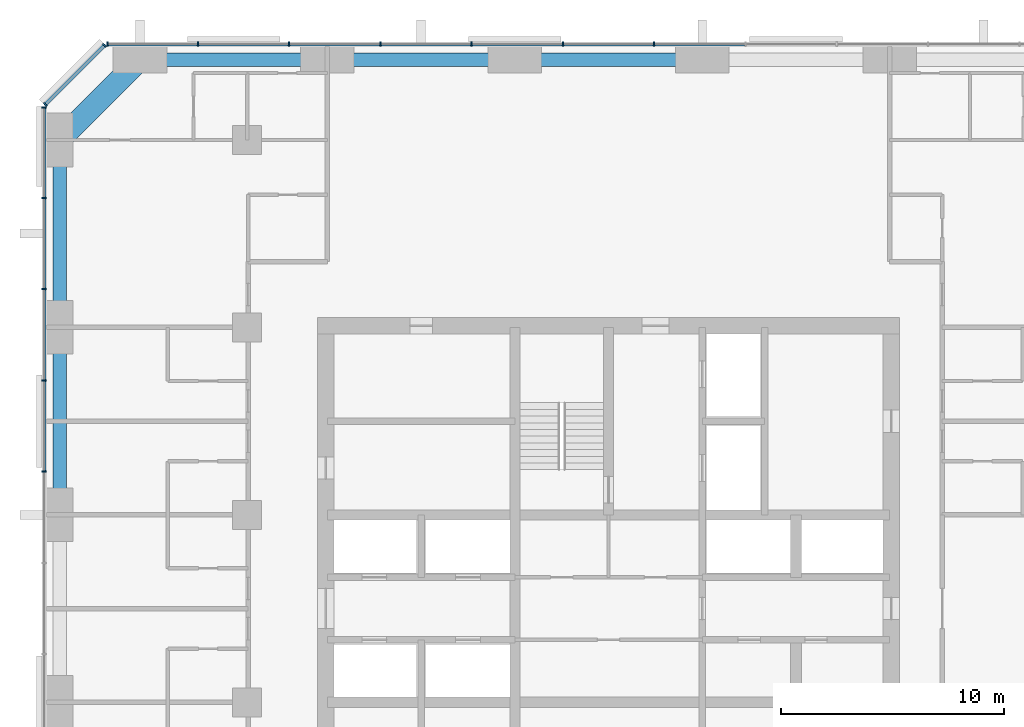
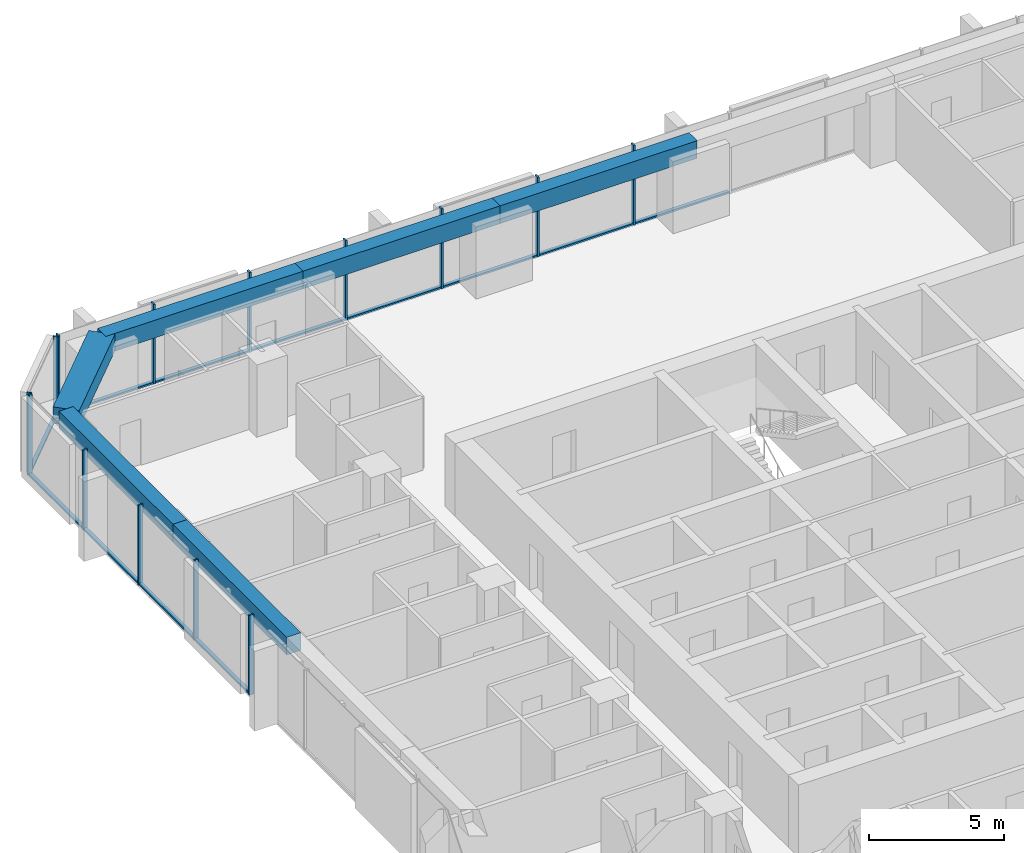
# One storey, part 5 of 13: 26 members, 6 beams, 3 elements without a shape of their own.
"""IFC4 building model written with IfcOpenShell, lengths in metres."""

from ifc_helpers import new_model, si_unit, direction, frame, origin, origin_2d, place, context, subcontext, project, spatial, rectangle, extrude, material, material_profile, profile_set, type_object, element, aggregate, save


model = new_model("IFC4")

# Units and contexts
model_context = context("Model", 3, precision=1e-05, world=origin(), true_north=direction((0.0, 1.0)))
body_context = subcontext(model_context, "Body", "Model", "MODEL_VIEW")
ifc_project = project(units=[si_unit("LENGTHUNIT", "METRE"), si_unit("AREAUNIT", "SQUARE_METRE"), si_unit("VOLUMEUNIT", "CUBIC_METRE"), si_unit("PLANEANGLEUNIT", "RADIAN"), si_unit("MASSUNIT", "GRAM", prefix="KILO")], contexts=[model_context])

# Site, building, storey
site_placement = place(None, origin())
site = spatial("IfcSite", under=ifc_project, at=site_placement, CompositionType="ELEMENT")
building_placement = place(site_placement, origin())
building = spatial("IfcBuilding", under=site, at=building_placement, Name="Dunama Terrace Hotel", CompositionType="ELEMENT")
storey_placement = place(building_placement, frame((0.0, 0.0, 173.39990234375)))
storey = spatial("IfcBuildingStorey", under=building, at=storey_placement, Name="L44", CompositionType="ELEMENT", Elevation=173.39990234375)

# Curtain wall, members
ifc_material_1 = material(Name="Aluminium curtain wall system", Category="aluminium")
curtain_wall_type = type_object("IfcCurtainWallType", Name="Unitised fritted glass wall CW-C", PredefinedType="NOTDEFINED", material=ifc_material_1)
curtain_wall_1_placement = place(storey_placement, origin())
curtain_wall_1 = element("IfcCurtainWall", 1, at=curtain_wall_1_placement, inside=storey, type_object=curtain_wall_type, Name="Unitised fritted glass wall CW-C L44", PredefinedType="NOTDEFINED")
ifc_material_2 = material(Name="Aluminium mullion", Category="aluminium")
ifc_material_profile_1 = material_profile(ifc_material_2, rectangle(XDim=0.070068359375, YDim=0.199951171875, at=origin_2d()), Name="CWC MULLION 70X200")
ifc_profile_set_1 = profile_set([ifc_material_profile_1], Name="Aluminium mullion")
member_type_1 = type_object("IfcMemberType", Name="CWC mullion 70x200", PredefinedType="MULLION", material=ifc_profile_set_1)
member_1_placement = place(storey_placement, frame((31.445068359375, 54.699951171875, 0.0), z_axis=(0.0, 0.0, 1.0), x_axis=(-1.0, 0.0, 0.0)))
member_1 = element("IfcMember", 2, at=member_1_placement, type_object=member_type_1, Name="CWC mullion", PredefinedType="MULLION", context=body_context, shape_type="SweptSolid", body=[
    extrude(rectangle(XDim=0.070068359375, YDim=0.199951171875, at=origin_2d()), origin(), (0.0, 0.0, 1.0), 3.60009765625),
])
member_2_placement = place(storey_placement, frame((27.35498046875, 54.699951171875, 0.0), z_axis=(0.0, 0.0, 1.0), x_axis=(-1.0, 0.0, 0.0)))
member_2 = element("IfcMember", 3, at=member_2_placement, type_object=member_type_1, Name="CWC mullion", PredefinedType="MULLION", context=body_context, shape_type="SweptSolid", body=[
    extrude(rectangle(XDim=0.070068359375, YDim=0.199951171875, at=origin_2d()), origin(), (0.0, 0.0, 1.0), 3.60009765625),
])
member_3_placement = place(storey_placement, frame((23.263916015625, 54.699951171875, 0.0), z_axis=(0.0, 0.0, 1.0), x_axis=(-1.0, 0.0, 0.0)))
member_3 = element("IfcMember", 4, at=member_3_placement, type_object=member_type_1, Name="CWC mullion", PredefinedType="MULLION", context=body_context, shape_type="SweptSolid", body=[
    extrude(rectangle(XDim=0.070068359375, YDim=0.199951171875, at=origin_2d()), origin(), (0.0, 0.0, 1.0), 3.60009765625),
])
member_4_placement = place(storey_placement, frame((19.173095703125, 54.699951171875, 0.0), z_axis=(0.0, 0.0, 1.0), x_axis=(-1.0, 0.0, 0.0)))
member_4 = element("IfcMember", 5, at=member_4_placement, type_object=member_type_1, Name="CWC mullion", PredefinedType="MULLION", context=body_context, shape_type="SweptSolid", body=[
    extrude(rectangle(XDim=0.070068359375, YDim=0.199951171875, at=origin_2d()), origin(), (0.0, 0.0, 1.0), 3.60009765625),
])
member_5_placement = place(storey_placement, frame((15.08203125, 54.699951171875, 0.0), z_axis=(0.0, 0.0, 1.0), x_axis=(-1.0, 0.0, 0.0)))
member_5 = element("IfcMember", 6, at=member_5_placement, type_object=member_type_1, Name="CWC mullion", PredefinedType="MULLION", context=body_context, shape_type="SweptSolid", body=[
    extrude(rectangle(XDim=0.070068359375, YDim=0.199951171875, at=origin_2d()), origin(), (0.0, 0.0, 1.0), 3.60009765625),
])
member_6_placement = place(storey_placement, frame((10.990966796875, 54.699951171875, 0.0), z_axis=(0.0, 0.0, 1.0), x_axis=(-1.0, 0.0, 0.0)))
member_6 = element("IfcMember", 7, at=member_6_placement, type_object=member_type_1, Name="CWC mullion", PredefinedType="MULLION", context=body_context, shape_type="SweptSolid", body=[
    extrude(rectangle(XDim=0.070068359375, YDim=0.199951171875, at=origin_2d()), origin(), (0.0, 0.0, 1.0), 3.60009765625),
])
member_7_placement = place(storey_placement, frame((6.93505859375, 54.699951171875, 0.0), z_axis=(0.0, 0.0, 1.0), x_axis=(-1.0, 0.0, 0.0)))
member_7 = element("IfcMember", 8, at=member_7_placement, type_object=member_type_1, Name="CWC mullion", PredefinedType="MULLION", context=body_context, shape_type="SweptSolid", body=[
    extrude(rectangle(XDim=0.070068359375, YDim=0.199951171875, at=origin_2d()), origin(), (0.0, 0.0, 1.0), 3.60009765625),
])

curtain_wall_2_placement = place(storey_placement, origin())
curtain_wall_2 = element("IfcCurtainWall", 9, at=curtain_wall_2_placement, inside=storey, type_object=curtain_wall_type, Name="Unitised fritted glass wall CW-C L44", PredefinedType="NOTDEFINED")
member_8_placement = place(storey_placement, frame((6.804931640625, 54.64599609375, 0.0), z_axis=(0.0, 0.0, 1.0), x_axis=(-0.707106781187, -0.707106781187, 0.0)))
member_8 = element("IfcMember", 10, at=member_8_placement, type_object=member_type_1, Name="CWC mullion", PredefinedType="MULLION", context=body_context, shape_type="SweptSolid", body=[
    extrude(rectangle(XDim=0.070068359375, YDim=0.199951171875, at=origin_2d()), origin(), (0.0, 0.0, 1.0), 3.60009765625),
])
member_9_placement = place(storey_placement, frame((4.154052734375, 51.9951171875, 0.0), z_axis=(0.0, 0.0, 1.0), x_axis=(-0.707106781187, -0.707106781187, 0.0)))
member_9 = element("IfcMember", 11, at=member_9_placement, type_object=member_type_1, Name="CWC mullion", PredefinedType="MULLION", context=body_context, shape_type="SweptSolid", body=[
    extrude(rectangle(XDim=0.070068359375, YDim=0.199951171875, at=origin_2d()), origin(), (0.0, 0.0, 1.0), 3.60009765625),
])

curtain_wall_3_placement = place(storey_placement, origin())
curtain_wall_3 = element("IfcCurtainWall", 12, at=curtain_wall_3_placement, inside=storey, type_object=curtain_wall_type, Name="Unitised fritted glass wall CW-C L44", PredefinedType="NOTDEFINED")
member_10_placement = place(storey_placement, frame((4.10009765625, 51.864990234375, 0.0), z_axis=(0.0, 0.0, 1.0), x_axis=(0.0, -1.0, 0.0)))
member_10 = element("IfcMember", 13, at=member_10_placement, type_object=member_type_1, Name="CWC mullion", PredefinedType="MULLION", context=body_context, shape_type="SweptSolid", body=[
    extrude(rectangle(XDim=0.070068359375, YDim=0.199951171875, at=origin_2d()), origin(), (0.0, 0.0, 1.0), 3.60009765625),
])
member_11_placement = place(storey_placement, frame((4.10009765625, 47.80908203125, 0.0), z_axis=(0.0, 0.0, 1.0), x_axis=(0.0, -1.0, 0.0)))
member_11 = element("IfcMember", 14, at=member_11_placement, type_object=member_type_1, Name="CWC mullion", PredefinedType="MULLION", context=body_context, shape_type="SweptSolid", body=[
    extrude(rectangle(XDim=0.070068359375, YDim=0.199951171875, at=origin_2d()), origin(), (0.0, 0.0, 1.0), 3.60009765625),
])
member_12_placement = place(storey_placement, frame((4.10009765625, 43.718017578125, 0.0), z_axis=(0.0, 0.0, 1.0), x_axis=(0.0, -1.0, 0.0)))
member_12 = element("IfcMember", 15, at=member_12_placement, type_object=member_type_1, Name="CWC mullion", PredefinedType="MULLION", context=body_context, shape_type="SweptSolid", body=[
    extrude(rectangle(XDim=0.070068359375, YDim=0.199951171875, at=origin_2d()), origin(), (0.0, 0.0, 1.0), 3.60009765625),
])
member_13_placement = place(storey_placement, frame((4.10009765625, 39.626953125, 0.0), z_axis=(0.0, 0.0, 1.0), x_axis=(0.0, -1.0, 0.0)))
member_13 = element("IfcMember", 16, at=member_13_placement, type_object=member_type_1, Name="CWC mullion", PredefinedType="MULLION", context=body_context, shape_type="SweptSolid", body=[
    extrude(rectangle(XDim=0.070068359375, YDim=0.199951171875, at=origin_2d()), origin(), (0.0, 0.0, 1.0), 3.60009765625),
])
member_14_placement = place(storey_placement, frame((4.10009765625, 35.535888671875, 0.0), z_axis=(0.0, 0.0, 1.0), x_axis=(0.0, -1.0, 0.0)))
member_14 = element("IfcMember", 17, at=member_14_placement, type_object=member_type_1, Name="CWC mullion", PredefinedType="MULLION", context=body_context, shape_type="SweptSolid", body=[
    extrude(rectangle(XDim=0.070068359375, YDim=0.199951171875, at=origin_2d()), origin(), (0.0, 0.0, 1.0), 3.60009765625),
])

# Member
ifc_material_3 = material(Name="Aluminium transom", Category="aluminium")
ifc_material_profile_2 = material_profile(ifc_material_3, rectangle(XDim=0.159912109375, YDim=0.080078125, at=origin_2d()), Name="CWC TRANSOM 160X80")
ifc_profile_set_2 = profile_set([ifc_material_profile_2], Name="Aluminium transom")
member_type_2 = type_object("IfcMemberType", Name="CWC transom 160x80", PredefinedType="USERDEFINED", material=ifc_profile_set_2)
member_15_placement = place(storey_placement, frame((35.5009765625, 54.699951171875, 0.0400390625), z_axis=(-1.0, 0.0, 0.0), x_axis=(0.0, -1.0, 0.0)))
member_15 = element("IfcMember", 18, at=member_15_placement, type_object=member_type_2, Name="CWC transom", ObjectType="TRANSOM", PredefinedType="USERDEFINED", context=body_context, shape_type="SweptSolid", body=[
    extrude(rectangle(XDim=0.159912109375, YDim=0.080078125, at=origin_2d()), origin(), (0.0, 0.0, 1.0), 4.02099609375),
])

member_16_placement = place(storey_placement, frame((31.409912109375, 54.699951171875, 0.0400390625), z_axis=(-1.0, 0.0, 0.0), x_axis=(0.0, -1.0, 0.0)))
member_16 = element("IfcMember", 19, at=member_16_placement, type_object=member_type_2, Name="CWC transom", ObjectType="TRANSOM", PredefinedType="USERDEFINED", context=body_context, shape_type="SweptSolid", body=[
    extrude(rectangle(XDim=0.159912109375, YDim=0.080078125, at=origin_2d()), origin(), (0.0, 0.0, 1.0), 4.02001953125),
])

member_17_placement = place(storey_placement, frame((27.320068359375, 54.699951171875, 0.0400390625), z_axis=(-1.0, 0.0, 0.0), x_axis=(0.0, -1.0, 0.0)))
member_17 = element("IfcMember", 20, at=member_17_placement, type_object=member_type_2, Name="CWC transom", ObjectType="TRANSOM", PredefinedType="USERDEFINED", context=body_context, shape_type="SweptSolid", body=[
    extrude(rectangle(XDim=0.159912109375, YDim=0.080078125, at=origin_2d()), origin(), (0.0, 0.0, 1.0), 4.02099609375),
])

member_18_placement = place(storey_placement, frame((23.22900390625, 54.699951171875, 0.0400390625), z_axis=(-1.0, 0.0, 0.0), x_axis=(0.0, -1.0, 0.0)))
member_18 = element("IfcMember", 21, at=member_18_placement, type_object=member_type_2, Name="CWC transom", ObjectType="TRANSOM", PredefinedType="USERDEFINED", context=body_context, shape_type="SweptSolid", body=[
    extrude(rectangle(XDim=0.159912109375, YDim=0.080078125, at=origin_2d()), origin(), (0.0, 0.0, 1.0), 4.02099609375),
])

member_19_placement = place(storey_placement, frame((19.137939453125, 54.699951171875, 0.0400390625), z_axis=(-1.0, 0.0, 0.0), x_axis=(0.0, -1.0, 0.0)))
member_19 = element("IfcMember", 22, at=member_19_placement, type_object=member_type_2, Name="CWC transom", ObjectType="TRANSOM", PredefinedType="USERDEFINED", context=body_context, shape_type="SweptSolid", body=[
    extrude(rectangle(XDim=0.159912109375, YDim=0.080078125, at=origin_2d()), origin(), (0.0, 0.0, 1.0), 4.02099609375),
])

member_20_placement = place(storey_placement, frame((15.047119140625, 54.699951171875, 0.0400390625), z_axis=(-1.0, 0.0, 0.0), x_axis=(0.0, -1.0, 0.0)))
member_20 = element("IfcMember", 23, at=member_20_placement, type_object=member_type_2, Name="CWC transom", ObjectType="TRANSOM", PredefinedType="USERDEFINED", context=body_context, shape_type="SweptSolid", body=[
    extrude(rectangle(XDim=0.159912109375, YDim=0.080078125, at=origin_2d()), origin(), (0.0, 0.0, 1.0), 4.021240234375),
])

member_21_placement = place(storey_placement, frame((10.9560546875, 54.699951171875, 0.0400390625), z_axis=(-1.0, 0.0, 0.0), x_axis=(0.0, -1.0, 0.0)))
member_21 = element("IfcMember", 24, at=member_21_placement, type_object=member_type_2, Name="CWC transom", ObjectType="TRANSOM", PredefinedType="USERDEFINED", context=body_context, shape_type="SweptSolid", body=[
    extrude(rectangle(XDim=0.159912109375, YDim=0.080078125, at=origin_2d()), origin(), (0.0, 0.0, 1.0), 3.986083984375),
])

aggregate(curtain_wall_1, [member_1, member_2, member_3, member_4, member_5, member_6, member_7, member_15, member_16, member_17, member_18, member_19, member_20, member_21])

member_22_placement = place(storey_placement, frame((6.780029296875, 54.62109375, 0.0400390625), z_axis=(-0.707106781187, -0.707106781187, 0.0), x_axis=(0.707106781187, -0.707106781187, 0.0)))
member_22 = element("IfcMember", 25, at=member_22_placement, type_object=member_type_2, Name="CWC transom", ObjectType="TRANSOM", PredefinedType="USERDEFINED", context=body_context, shape_type="SweptSolid", body=[
    extrude(rectangle(XDim=0.159912109375, YDim=0.080078125, at=origin_2d()), origin(), (0.0, 0.0, 1.0), 3.678466796875),
])

aggregate(curtain_wall_2, [member_8, member_9, member_22])

member_23_placement = place(storey_placement, frame((4.10009765625, 51.830078125, 0.0400390625), z_axis=(0.0, -1.0, 0.0), x_axis=(1.0, 0.0, 0.0)))
member_23 = element("IfcMember", 26, at=member_23_placement, type_object=member_type_2, Name="CWC transom", ObjectType="TRANSOM", PredefinedType="USERDEFINED", context=body_context, shape_type="SweptSolid", body=[
    extrude(rectangle(XDim=0.159912109375, YDim=0.080078125, at=origin_2d()), origin(), (0.0, 0.0, 1.0), 3.986083984375),
])

member_24_placement = place(storey_placement, frame((4.10009765625, 47.77392578125, 0.0400390625), z_axis=(0.0, -1.0, 0.0), x_axis=(1.0, 0.0, 0.0)))
member_24 = element("IfcMember", 27, at=member_24_placement, type_object=member_type_2, Name="CWC transom", ObjectType="TRANSOM", PredefinedType="USERDEFINED", context=body_context, shape_type="SweptSolid", body=[
    extrude(rectangle(XDim=0.159912109375, YDim=0.080078125, at=origin_2d()), origin(), (0.0, 0.0, 1.0), 4.02099609375),
])

member_25_placement = place(storey_placement, frame((4.10009765625, 43.68310546875, 0.0400390625), z_axis=(0.0, -1.0, 0.0), x_axis=(1.0, 0.0, 0.0)))
member_25 = element("IfcMember", 28, at=member_25_placement, type_object=member_type_2, Name="CWC transom", ObjectType="TRANSOM", PredefinedType="USERDEFINED", context=body_context, shape_type="SweptSolid", body=[
    extrude(rectangle(XDim=0.159912109375, YDim=0.080078125, at=origin_2d()), origin(), (0.0, 0.0, 1.0), 4.02099609375),
])

member_26_placement = place(storey_placement, frame((4.10009765625, 39.592041015625, 0.0400390625), z_axis=(0.0, -1.0, 0.0), x_axis=(1.0, 0.0, 0.0)))
member_26 = element("IfcMember", 29, at=member_26_placement, type_object=member_type_2, Name="CWC transom", ObjectType="TRANSOM", PredefinedType="USERDEFINED", context=body_context, shape_type="SweptSolid", body=[
    extrude(rectangle(XDim=0.159912109375, YDim=0.080078125, at=origin_2d()), origin(), (0.0, 0.0, 1.0), 4.02099609375),
])

aggregate(curtain_wall_3, [member_10, member_11, member_12, member_13, member_14, member_23, member_24, member_25, member_26])

# Beams
ifc_material_4 = material(Name="Concrete C50/60", Category="concrete")
ifc_material_profile_3 = material_profile(ifc_material_4, rectangle(XDim=1.0, YDim=0.75, at=origin_2d()), Name="RC 1000x750")
ifc_profile_set_3 = profile_set([ifc_material_profile_3], Name="Concrete C50/60")
beam_type_1 = type_object("IfcBeamType", Name="Edge beam RC 1000x750", PredefinedType="SPANDREL", material=ifc_profile_set_3)
beam_1_placement = place(storey_placement, frame((8.39990234375, 54.0, 3.22509765625), z_axis=(-0.707082803744, -0.707130757816, 0.0), x_axis=(0.707130757816, -0.707082803744, 0.0)))
element("IfcBeam", 30, at=beam_1_placement, inside=storey, type_object=beam_type_1, Name="Corner edge beam under L45", PredefinedType="SPANDREL", context=body_context, shape_type="SweptSolid", body=[
    extrude(rectangle(XDim=1.0, YDim=0.75, at=origin_2d()), origin(), (0.0, 0.0, 1.0), 5.091064453125),
])
ifc_material_5 = material(Name="Concrete C40/50", Category="concrete")
ifc_material_profile_4 = material_profile(ifc_material_5, rectangle(XDim=0.60009765625, YDim=0.800048828125, at=origin_2d()), Name="RC 600x800")
ifc_profile_set_4 = profile_set([ifc_material_profile_4], Name="Concrete C40/50")
beam_type_2 = type_object("IfcBeamType", Name="Edge beam RC 600x800", PredefinedType="SPANDREL", material=ifc_profile_set_4)
for number, where, z_axis, x_axis, name in (
    (31, (4.800048828125, 33.60009765625, 3.2001953125), (0.0, 1.0, 0.0), (-1.0, 0.0, 0.0), "Edge beam under L45"),
    (32, (4.800048828125, 42.0, 3.2001953125), (0.0, 1.0, 0.0), (-1.0, 0.0, 0.0), "Edge beam under L45"),
):
    element("IfcBeam", number, at=place(storey_placement, frame(where, z_axis=z_axis, x_axis=x_axis)), inside=storey, type_object=beam_type_2, Name=name, PredefinedType="SPANDREL", context=body_context, shape_type="SweptSolid", body=[
        extrude(rectangle(XDim=0.60009765625, YDim=0.800048828125, at=origin_2d()), origin(), (0.0, 0.0, 1.0), 8.39990234375),
    ])
beam_2_placement = place(storey_placement, frame((8.39990234375, 54.0, 3.2001953125), z_axis=(1.0, 0.0, 0.0), x_axis=(0.0, 1.0, 0.0)))
element("IfcBeam", 33, at=beam_2_placement, inside=storey, type_object=beam_type_2, Name="Edge beam under L45", PredefinedType="SPANDREL", context=body_context, shape_type="SweptSolid", body=[
    extrude(rectangle(XDim=0.60009765625, YDim=0.800048828125, at=origin_2d()), origin(), (0.0, 0.0, 1.0), 8.400146484375),
])
beam_3_placement = place(storey_placement, frame((16.800048828125, 54.0, 3.2001953125), z_axis=(1.0, 0.0, 0.0), x_axis=(0.0, 1.0, 0.0)))
element("IfcBeam", 34, at=beam_3_placement, inside=storey, type_object=beam_type_2, Name="Edge beam under L45", PredefinedType="SPANDREL", context=body_context, shape_type="SweptSolid", body=[
    extrude(rectangle(XDim=0.60009765625, YDim=0.800048828125, at=origin_2d()), origin(), (0.0, 0.0, 1.0), 8.39990234375),
])
beam_4_placement = place(storey_placement, frame((25.199951171875, 54.0, 3.2001953125), z_axis=(1.0, 0.0, 0.0), x_axis=(0.0, 1.0, 0.0)))
element("IfcBeam", 35, at=beam_4_placement, inside=storey, type_object=beam_type_2, Name="Edge beam under L45", PredefinedType="SPANDREL", context=body_context, shape_type="SweptSolid", body=[
    extrude(rectangle(XDim=0.60009765625, YDim=0.800048828125, at=origin_2d()), origin(), (0.0, 0.0, 1.0), 8.400146484375),
])

save(model, "model.ifc")
